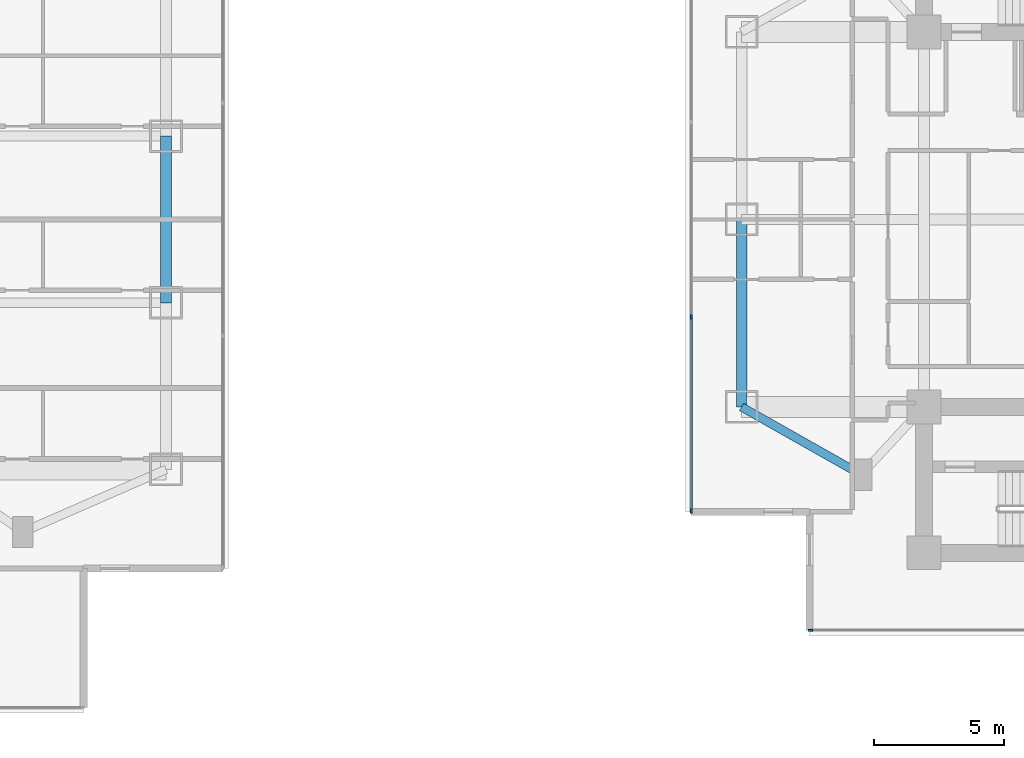
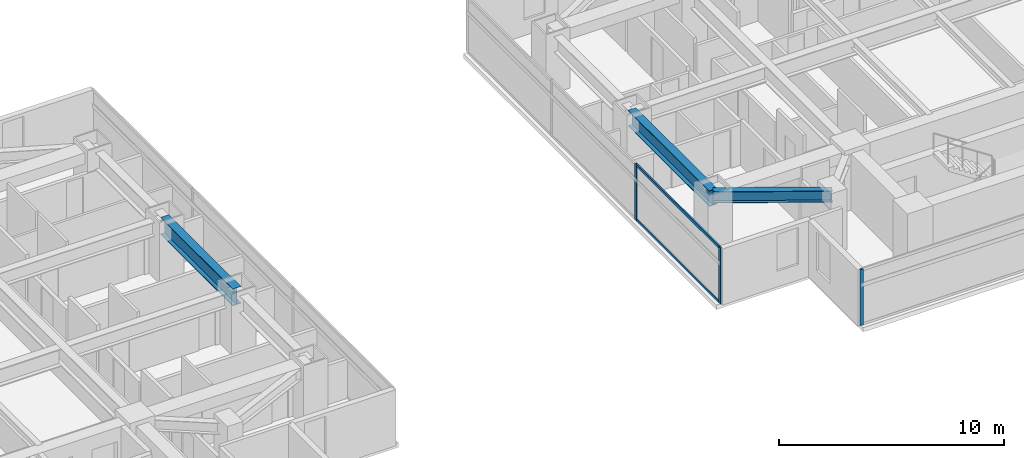
# One storey, part 5 of 27: 5 members, 3 beams, 2 elements without a shape of their own.
"""IFC4 building model written with IfcOpenShell, lengths in metres."""

from ifc_helpers import new_model, si_unit, direction, frame, origin, origin_2d, place, context, subcontext, project, spatial, rectangle, i_section, extrude, material, material_profile, profile_set, type_object, element, aggregate, save


model = new_model("IFC4")

# Units and contexts
model_context = context("Model", 3, precision=1e-05, world=origin(), true_north=direction((0.0, 1.0)))
body_context = subcontext(model_context, "Body", "Model", "MODEL_VIEW")
ifc_project = project(units=[si_unit("LENGTHUNIT", "METRE"), si_unit("AREAUNIT", "SQUARE_METRE"), si_unit("VOLUMEUNIT", "CUBIC_METRE"), si_unit("PLANEANGLEUNIT", "RADIAN"), si_unit("MASSUNIT", "GRAM", prefix="KILO")], contexts=[model_context])

# Site, building, storey
site_placement = place(None, origin())
site = spatial("IfcSite", under=ifc_project, at=site_placement, CompositionType="ELEMENT")
building_placement = place(site_placement, origin())
building = spatial("IfcBuilding", under=site, at=building_placement, Name="Mirazonda Arch Towers", CompositionType="ELEMENT")
storey_placement = place(building_placement, frame((0.0, 0.0, 52.10009765625)))
storey = spatial("IfcBuildingStorey", under=building, at=storey_placement, Name="L14", CompositionType="ELEMENT", Elevation=52.10009765625)

# Beams
ifc_material_1 = material(Name="Steel ASTM A992 Grade 50", Category="steel")
ifc_material_profile_1 = material_profile(ifc_material_1, i_section(OverallWidth=0.39990234375, OverallDepth=0.85595703125, WebThickness=0.018310546875, FlangeThickness=0.029296875, at=origin_2d()), Name="W33X201")
ifc_profile_set_1 = profile_set([ifc_material_profile_1], Name="Steel ASTM A992 Grade 50")
beam_type_1 = type_object("IfcBeamType", Name="BM-EXT-W33X201", PredefinedType="USERDEFINED", material=ifc_profile_set_1)
beam_1_placement = place(storey_placement, frame((61.0, 20.800048828125, 2.6318359375), z_axis=(0.0, 1.0, 0.0), x_axis=(-1.0, 0.0, 0.0)))
element("IfcBeam", 1, at=beam_1_placement, inside=storey, type_object=beam_type_1, Name="L14 Floor Beam BM-T2-L14-NS-W-20", ObjectType="GIRDER", PredefinedType="USERDEFINED", context=body_context, shape_type="SweptSolid", body=[
    extrude(i_section(OverallWidth=0.39990234375, OverallDepth=0.85595703125, WebThickness=0.018310546875, FlangeThickness=0.029296875, at=origin_2d()), origin(), (0.0, 0.0, 1.0), 7.199951171875),
])
ifc_material_profile_2 = material_profile(ifc_material_1, i_section(OverallWidth=0.41796875, OverallDepth=0.927001953125, WebThickness=0.019287109375, FlangeThickness=0.031982421875, at=origin_2d()), Name="W36X231")
ifc_profile_set_2 = profile_set([ifc_material_profile_2], Name="Steel ASTM A992 Grade 50")
beam_type_2 = type_object("IfcBeamType", Name="BM-EXT-W36X231", PredefinedType="USERDEFINED", material=ifc_profile_set_2)
beam_2_placement = place(storey_placement, frame((38.89990234375, 24.800048828125, 2.596435546875), z_axis=(0.0, 1.0, 0.0), x_axis=(-1.0, 0.0, 0.0)))
element("IfcBeam", 2, at=beam_2_placement, inside=storey, type_object=beam_type_2, Name="L14 Floor Beam BM-T1-L14-NS-E-24", ObjectType="GIRDER", PredefinedType="USERDEFINED", context=body_context, shape_type="SweptSolid", body=[
    extrude(i_section(OverallWidth=0.41796875, OverallDepth=0.927001953125, WebThickness=0.019287109375, FlangeThickness=0.031982421875, at=origin_2d()), origin(), (0.0, 0.0, 1.0), 6.39990234375),
])
ifc_material_profile_3 = material_profile(ifc_material_1, i_section(OverallWidth=0.324951171875, OverallDepth=0.615966796875, WebThickness=0.013916015625, FlangeThickness=0.021484375, at=origin_2d()), Name="W24X117")
ifc_profile_set_3 = profile_set([ifc_material_profile_3], Name="Steel ASTM A992 Grade 50")
beam_type_3 = type_object("IfcBeamType", Name="BM-INT-W24X117", PredefinedType="BEAM", material=ifc_profile_set_3)
beam_3_placement = place(storey_placement, frame((65.60009765625, 18.199951171875, 2.751953125), z_axis=(-0.870559396632, 0.492063346467, 0.0), x_axis=(-0.492063346467, -0.870559396632, 0.0)))
element("IfcBeam", 3, at=beam_3_placement, inside=storey, type_object=beam_type_3, Name="L14 Floor Beam BM-T2-L14-PL-SW2", PredefinedType="BEAM", context=body_context, shape_type="SweptSolid", body=[
    extrude(i_section(OverallWidth=0.324951171875, OverallDepth=0.615966796875, WebThickness=0.013916015625, FlangeThickness=0.021484375, at=origin_2d()), origin(), (0.0, 0.0, 1.0), 5.2841796875),
])

# Curtain wall, member
ifc_material_2 = material(Name="Anodised Aluminium and Low-E Glass", Category="aluminium")
curtain_wall_type = type_object("IfcCurtainWallType", Name="CW-HTL-UNIT", PredefinedType="NOTDEFINED", material=ifc_material_2)
curtain_wall_1_placement = place(storey_placement, origin())
curtain_wall_1 = element("IfcCurtainWall", 4, at=curtain_wall_1_placement, inside=storey, type_object=curtain_wall_type, Name="L14 T2 S Facade CW-L14-T2-S", PredefinedType="NOTDEFINED")
ifc_material_3 = material(Name="Anodised Aluminium Alloy", Category="aluminium")
ifc_material_profile_4 = material_profile(ifc_material_3, rectangle(XDim=0.074951171875, YDim=0.1650390625, at=origin_2d()), Name="ALU-MULL-75x165")
ifc_profile_set_4 = profile_set([ifc_material_profile_4], Name="Anodised Aluminium Alloy")
member_type_1 = type_object("IfcMemberType", Name="MULL-CW-HTL-UNIT", PredefinedType="MULLION", material=ifc_profile_set_4)
member_1_placement = place(storey_placement, frame((63.6435546875, 12.22412109375, 0.0), z_axis=(0.0, 0.0, 1.0), x_axis=(0.0, -1.0, 0.0)))
member_1 = element("IfcMember", 5, at=member_1_placement, type_object=member_type_1, Name="CW-112 mullion 4", PredefinedType="MULLION", context=body_context, shape_type="SweptSolid", body=[
    extrude(rectangle(XDim=0.074951171875, YDim=0.1650390625, at=origin_2d()), origin(), (0.0, 0.0, 1.0), 3.039794921875),
])
aggregate(curtain_wall_1, [member_1])

# Curtain wall, members
curtain_wall_2_placement = place(storey_placement, origin())
curtain_wall_2 = element("IfcCurtainWall", 6, at=curtain_wall_2_placement, inside=storey, type_object=curtain_wall_type, Name="L14 T2 W Facade CW-L14-T2-W", PredefinedType="NOTDEFINED")
member_2_placement = place(storey_placement, frame((59.06005859375, 24.256591796875, 0.0), z_axis=(0.0, 0.0, 1.0), x_axis=(1.0, 0.0, 0.0)))
member_2 = element("IfcMember", 7, at=member_2_placement, type_object=member_type_1, Name="CW-112 mullion 3", PredefinedType="MULLION", context=body_context, shape_type="SweptSolid", body=[
    extrude(rectangle(XDim=0.074951171875, YDim=0.1650390625, at=origin_2d()), origin(), (0.0, 0.0, 1.0), 3.039794921875),
])
member_3_placement = place(storey_placement, frame((59.06005859375, 16.8076171875, 0.0), z_axis=(0.0, 0.0, 1.0), x_axis=(1.0, 0.0, 0.0)))
member_3 = element("IfcMember", 8, at=member_3_placement, type_object=member_type_1, Name="CW-112 mullion 4", PredefinedType="MULLION", context=body_context, shape_type="SweptSolid", body=[
    extrude(rectangle(XDim=0.074951171875, YDim=0.1650390625, at=origin_2d()), origin(), (0.0, 0.0, 1.0), 3.039794921875),
])
ifc_material_profile_5 = material_profile(ifc_material_3, rectangle(XDim=0.074951171875, YDim=0.14501953125, at=origin_2d()), Name="ALU-TRAN-75x145")
ifc_profile_set_5 = profile_set([ifc_material_profile_5], Name="Anodised Aluminium Alloy")
member_type_2 = type_object("IfcMemberType", Name="TRAN-CW-HTL-UNIT", PredefinedType="USERDEFINED", material=ifc_profile_set_5)
member_4_placement = place(storey_placement, frame((59.06005859375, 24.21923828125, 0.037353515625), z_axis=(0.0, -1.0, 0.0), x_axis=(1.0, 0.0, 0.0)))
member_4 = element("IfcMember", 9, at=member_4_placement, type_object=member_type_2, Name="CW-112 transom 3.1", ObjectType="TRANSOM", PredefinedType="USERDEFINED", context=body_context, shape_type="SweptSolid", body=[
    extrude(rectangle(XDim=0.074951171875, YDim=0.14501953125, at=origin_2d()), origin(), (0.0, 0.0, 1.0), 7.374267578125),
])
member_5_placement = place(storey_placement, frame((59.06005859375, 24.21923828125, 3.00244140625), z_axis=(0.0, -1.0, 0.0), x_axis=(1.0, 0.0, 0.0)))
member_5 = element("IfcMember", 10, at=member_5_placement, type_object=member_type_2, Name="CW-112 transom 3.2", ObjectType="TRANSOM", PredefinedType="USERDEFINED", context=body_context, shape_type="SweptSolid", body=[
    extrude(rectangle(XDim=0.074951171875, YDim=0.14501953125, at=origin_2d()), origin(), (0.0, 0.0, 1.0), 7.374267578125),
])
aggregate(curtain_wall_2, [member_2, member_3, member_4, member_5])

save(model, "model.ifc")
